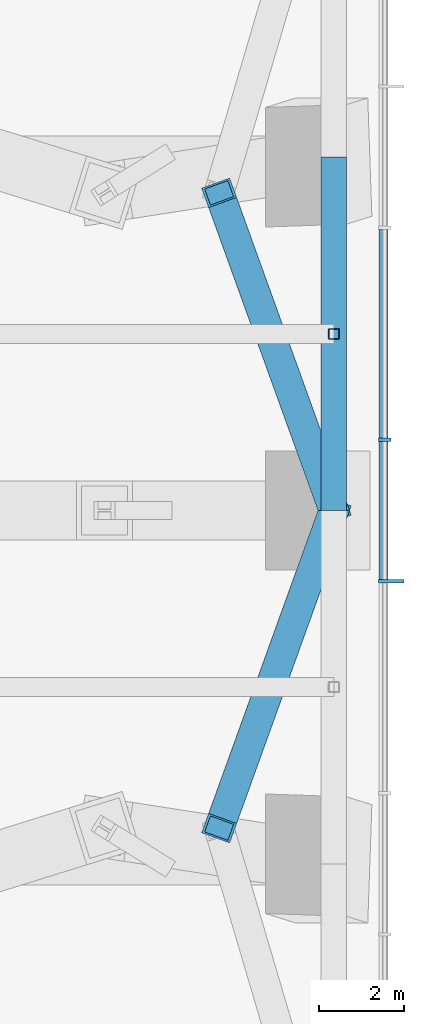
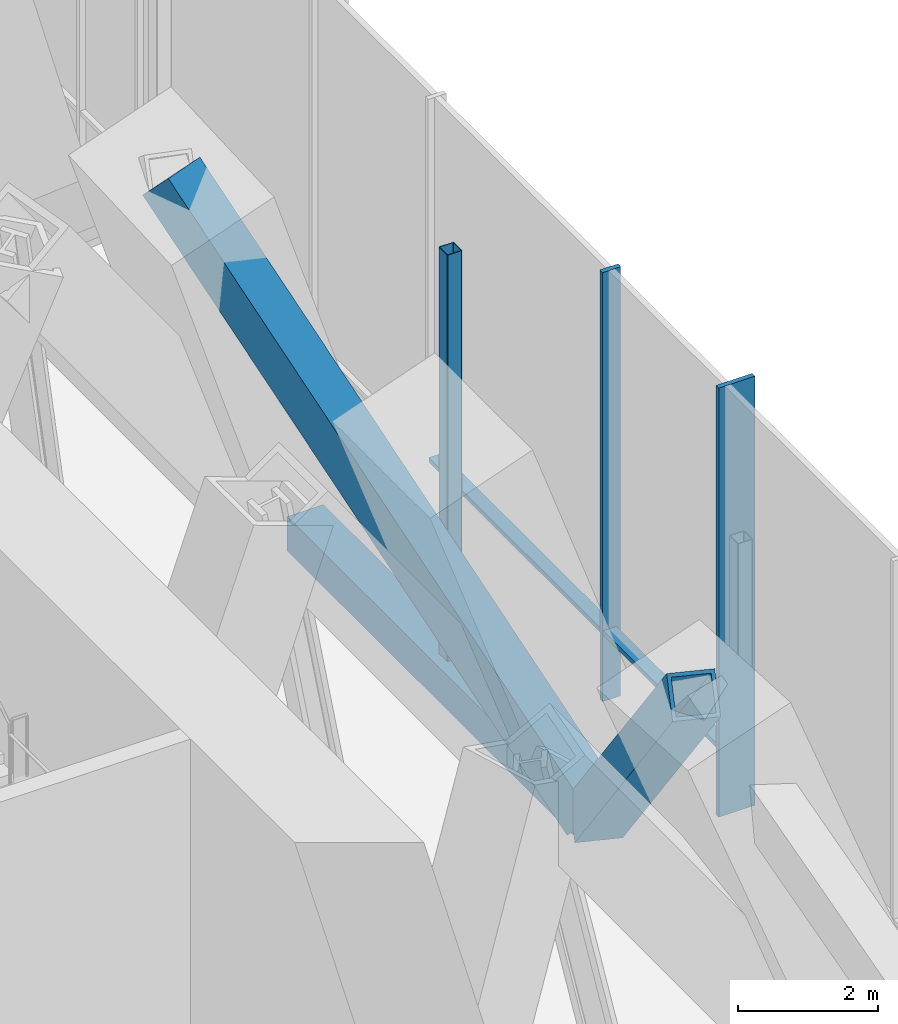
# One storey, part 6 of 16: 8 members, 1 element without a shape of its own.
"""IFC4 building model written with IfcOpenShell, lengths in metres."""

from ifc_helpers import new_model, si_unit, direction, frame, origin, origin_2d, place, context, subcontext, project, spatial, rectangle, hollow_rectangle, extrude, material, material_profile, profile_set, type_object, element, aggregate, save


model = new_model("IFC4")

# Units and contexts
model_context = context("Model", 3, precision=1e-05, world=origin(), true_north=direction((0.0, 1.0)))
body_context = subcontext(model_context, "Body", "Model", "MODEL_VIEW")
ifc_project = project(units=[si_unit("LENGTHUNIT", "METRE"), si_unit("AREAUNIT", "SQUARE_METRE"), si_unit("VOLUMEUNIT", "CUBIC_METRE"), si_unit("PLANEANGLEUNIT", "RADIAN"), si_unit("MASSUNIT", "GRAM", prefix="KILO")], contexts=[model_context])

# Site, building, storey
site_placement = place(None, origin())
site = spatial("IfcSite", under=ifc_project, at=site_placement, CompositionType="ELEMENT")
building_placement = place(site_placement, origin())
building = spatial("IfcBuilding", under=site, at=building_placement, Name="Khuree Lantern Residences", CompositionType="ELEMENT")
storey_placement = place(building_placement, frame((0.0, 0.0, 278.25)))
storey = spatial("IfcBuildingStorey", under=building, at=storey_placement, Name="L70", CompositionType="ELEMENT", Elevation=278.25)

# Members
ifc_material_1 = material(Name="Steel S355", Category="steel")
ifc_material_profile_1 = material_profile(ifc_material_1, hollow_rectangle(XDim=0.699951171875, YDim=0.699951171875, WallThickness=0.06005859375, at=origin_2d()), Name="WELDED BOX 700X700X60")
ifc_profile_set_1 = profile_set([ifc_material_profile_1], Name="Steel S355")
member_type_1 = type_object("IfcMemberType", Name="BD-70 BELT TRUSS DIAGONAL WELDED BOX 700X700X60", PredefinedType="BRACE", material=ifc_profile_set_1)
for number, where, z_axis, x_axis, name in (
    (1, (21.699951171875, 7.47998046875, 6.949951171875), (0.245452522932, -0.680004918854, -0.690902575853), (0.940600203563, 0.339516210301, 0.0), "Belt truss diagonal E3"),
    (2, (24.39990234375, 0.0, -0.64990234375), (-0.245452522932, -0.680004918854, 0.690902575853), (0.940600203563, -0.339516210301, 0.0), "Belt truss diagonal E4"),
):
    element("IfcMember", number, at=place(storey_placement, frame(where, z_axis=z_axis, x_axis=x_axis)), inside=storey, type_object=member_type_1, Name=name, PredefinedType="BRACE", context=body_context, shape_type="SweptSolid", body=[
        extrude(hollow_rectangle(XDim=0.699951171875, YDim=0.699951171875, WallThickness=0.06005859375, at=origin_2d()), origin(), (0.0, 0.0, 1.0), 11.0),
    ])
ifc_material_profile_2 = material_profile(ifc_material_1, hollow_rectangle(XDim=0.60009765625, YDim=0.60009765625, WallThickness=0.050048828125, at=origin_2d()), Name="WELDED BOX 600X600X50")
ifc_profile_set_2 = profile_set([ifc_material_profile_2], Name="Steel S355")
member_type_2 = type_object("IfcMemberType", Name="BT-70 BELT TRUSS CHORD WELDED BOX 600X600X50", PredefinedType="CHORD", material=ifc_profile_set_2)
member_1_placement = place(storey_placement, frame((24.39990234375, 8.320068359375, -0.64990234375), z_axis=(0.0, -1.0, 0.0), x_axis=(1.0, 0.0, 0.0)))
element("IfcMember", 3, at=member_1_placement, inside=storey, type_object=member_type_2, Name="Belt truss chord E3", PredefinedType="CHORD", context=body_context, shape_type="SweptSolid", body=[
    extrude(hollow_rectangle(XDim=0.60009765625, YDim=0.60009765625, WallThickness=0.050048828125, at=origin_2d()), origin(), (0.0, 0.0, 1.0), 8.320068359375),
])

# Curtain wall, members
ifc_material_2 = material(Name="Bronze anodised aluminium", Category="aluminium")
curtain_wall_type = type_object("IfcCurtainWallType", Name="CW-G PLANT STOREY LOUVRED CURTAIN WALL", PredefinedType="USERDEFINED", material=ifc_material_2)
curtain_wall_placement = place(storey_placement, origin())
curtain_wall = element("IfcCurtainWall", 4, at=curtain_wall_placement, inside=storey, type_object=curtain_wall_type, Name="L70 EAST FACE CURTAIN WALL", ObjectType="Louvred curtain wall", PredefinedType="USERDEFINED")
ifc_material_profile_3 = material_profile(ifc_material_2, rectangle(XDim=0.080078125, YDim=0.60009765625, at=origin_2d()), Name="F2 80X600")
ifc_profile_set_3 = profile_set([ifc_material_profile_3], Name="Bronze anodised aluminium")
member_type_3 = type_object("IfcMemberType", Name="F2 BRONZE FIN MULLION PLANT 80X600", PredefinedType="MULLION", material=ifc_profile_set_3)
member_2_placement = place(storey_placement, frame((25.75, -1.6640625, 0.0), z_axis=(0.0, 0.0, 1.0), x_axis=(0.0, 1.0, 0.0)))
member_2 = element("IfcMember", 5, at=member_2_placement, type_object=member_type_3, Name="L70 EAST FACE FIN MULLION 9", PredefinedType="MULLION", context=body_context, shape_type="SweptSolid", body=[
    extrude(rectangle(XDim=0.080078125, YDim=0.60009765625, at=origin_2d()), origin(), (0.0, 0.0, 1.0), 7.5),
])
ifc_material_profile_4 = material_profile(ifc_material_2, rectangle(XDim=0.080078125, YDim=0.300048828125, at=origin_2d()), Name="M2 80X300")
ifc_profile_set_4 = profile_set([ifc_material_profile_4], Name="Bronze anodised aluminium")
member_type_4 = type_object("IfcMemberType", Name="MULLION M2 PLANT 80X300", PredefinedType="MULLION", material=ifc_profile_set_4)
member_3_placement = place(storey_placement, frame((25.60009765625, 1.6640625, 0.0), z_axis=(0.0, 0.0, 1.0), x_axis=(0.0, 1.0, 0.0)))
member_3 = element("IfcMember", 6, at=member_3_placement, type_object=member_type_4, Name="L70 EAST FACE MULLION 10", PredefinedType="MULLION", context=body_context, shape_type="SweptSolid", body=[
    extrude(rectangle(XDim=0.080078125, YDim=0.300048828125, at=origin_2d()), origin(), (0.0, 0.0, 1.0), 7.5),
])

# Member
ifc_material_profile_5 = material_profile(ifc_material_1, hollow_rectangle(XDim=0.25, YDim=0.25, WallThickness=0.012451171875, InnerFilletRadius=0.012451171875, OuterFilletRadius=0.018798828125, at=origin_2d()), Name="SHS 250X250X12.5")
ifc_profile_set_5 = profile_set([ifc_material_profile_5], Name="Steel S355")
member_type_5 = type_object("IfcMemberType", Name="TP1 TERRACE POST SHS 250X250X12.5", PredefinedType="POST", material=ifc_profile_set_5)
member_4_placement = place(storey_placement, frame((24.39990234375, 4.159912109375, -0.35009765625), z_axis=(0.0, 0.0, 1.0), x_axis=(1.0, 0.0, 0.0)))
element("IfcMember", 7, at=member_4_placement, inside=storey, type_object=member_type_5, Name="Terrace post E3", PredefinedType="POST", context=body_context, shape_type="SweptSolid", body=[
    extrude(hollow_rectangle(XDim=0.25, YDim=0.25, WallThickness=0.012451171875, InnerFilletRadius=0.012451171875, OuterFilletRadius=0.018798828125, at=origin_2d()), origin(), (0.0, 0.0, 1.0), 7.10009765625),
])

ifc_material_profile_6 = material_profile(ifc_material_2, rectangle(XDim=0.219970703125, YDim=0.080078125, at=origin_2d()), Name="T2 220X80")
ifc_profile_set_6 = profile_set([ifc_material_profile_6], Name="Bronze anodised aluminium")
member_type_6 = type_object("IfcMemberType", Name="TRANSOM T2 PLANT 220X80", PredefinedType="USERDEFINED", material=ifc_profile_set_6)
member_5_placement = place(storey_placement, frame((25.570068359375, -1.6240234375, 1.199951171875), z_axis=(0.0, 1.0, 0.0), x_axis=(-1.0, 0.0, 0.0)))
member_5 = element("IfcMember", 8, at=member_5_placement, type_object=member_type_6, Name="L70 EAST FACE TRANSOM 9.1", ObjectType="Transom", PredefinedType="USERDEFINED", context=body_context, shape_type="SweptSolid", body=[
    extrude(rectangle(XDim=0.219970703125, YDim=0.080078125, at=origin_2d()), origin(), (0.0, 0.0, 1.0), 3.248046875),
])

member_6_placement = place(storey_placement, frame((25.570068359375, 1.7041015625, 1.199951171875), z_axis=(0.0, 1.0, 0.0), x_axis=(-1.0, 0.0, 0.0)))
member_6 = element("IfcMember", 9, at=member_6_placement, type_object=member_type_6, Name="L70 EAST FACE TRANSOM 10.1", ObjectType="Transom", PredefinedType="USERDEFINED", context=body_context, shape_type="SweptSolid", body=[
    extrude(rectangle(XDim=0.219970703125, YDim=0.080078125, at=origin_2d()), origin(), (0.0, 0.0, 1.0), 4.911865234375),
])

aggregate(curtain_wall, [member_2, member_3, member_5, member_6])

save(model, "model.ifc")
